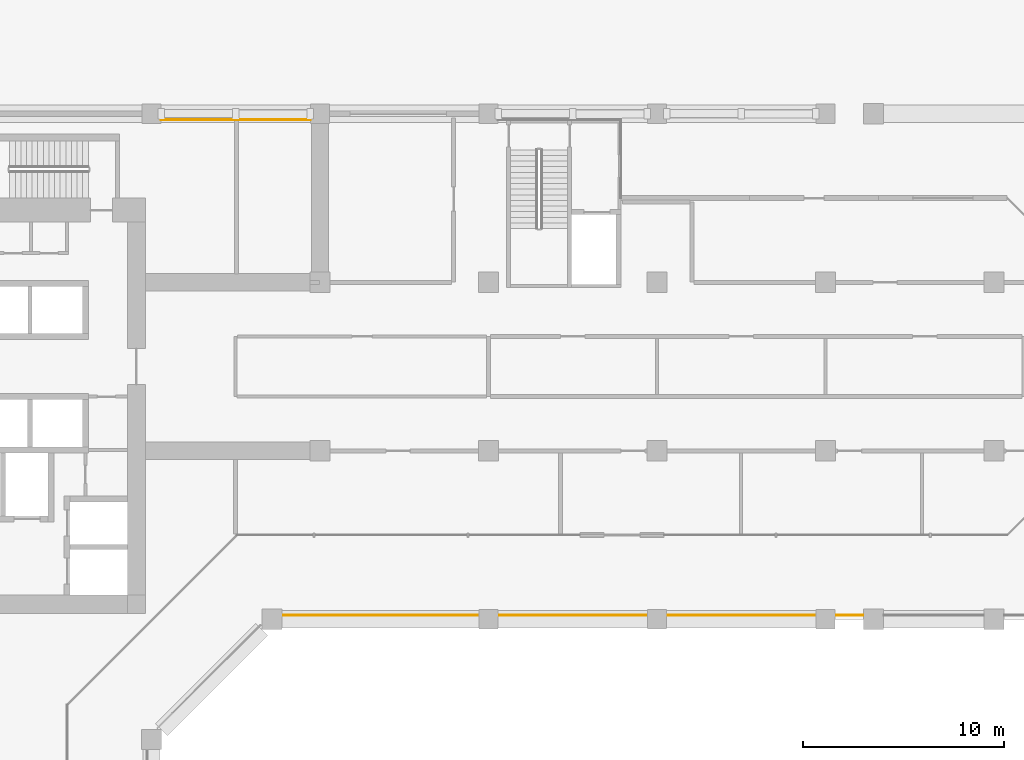
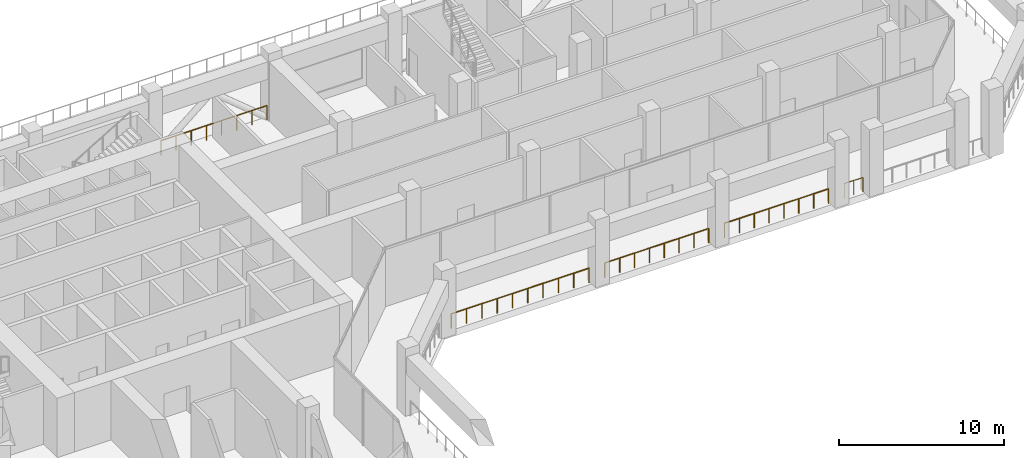
# One storey, part 15 of 19: 5 railings.
"""IFC4 building model written with IfcOpenShell, lengths in metres."""

from ifc_helpers import new_model, si_unit, direction, frame, origin, origin_2d, place, context, subcontext, project, spatial, circle, extrude, material, type_object, element, save


model = new_model("IFC4")

# Units and contexts
model_context = context("Model", 3, precision=1e-05, world=origin(), true_north=direction((0.0, 1.0)))
body_context = subcontext(model_context, "Body", "Model", "MODEL_VIEW")
ifc_project = project(units=[si_unit("LENGTHUNIT", "METRE"), si_unit("AREAUNIT", "SQUARE_METRE"), si_unit("VOLUMEUNIT", "CUBIC_METRE"), si_unit("PLANEANGLEUNIT", "RADIAN"), si_unit("MASSUNIT", "GRAM", prefix="KILO")], contexts=[model_context])

# Site, building, storey
site_placement = place(None, origin())
site = spatial("IfcSite", under=ifc_project, at=site_placement, CompositionType="ELEMENT")
building_placement = place(site_placement, origin())
building = spatial("IfcBuilding", under=site, at=building_placement, Name="Kawkab Arch Medical Tower", CompositionType="ELEMENT")
storey_placement = place(building_placement, frame((0.0, 0.0, 153.39990234375)))
storey = spatial("IfcBuildingStorey", under=building, at=storey_placement, Name="L35", CompositionType="ELEMENT", Elevation=153.39990234375)

# Railings
ifc_material = material(Name="Bronze anodised aluminium guard", Category="aluminium")
railing_type = type_object("IfcRailingType", Name="Loggia and terrace guard 1100", PredefinedType="GUARDRAIL", material=ifc_material)
railing_1_placement = place(storey_placement, frame((33.125, -0.300048828125, 0.0)))
element("IfcRailing", 1, at=railing_1_placement, inside=storey, type_object=railing_type, Name="Band guard L35.R18.3", PredefinedType="GUARDRAIL", context=body_context, shape_type="SweptSolid", body=[
    extrude(circle(Radius=0.02392578125, at=origin_2d()), frame((0.0, 0.0, 1.076171875), z_axis=(-1.0, 0.0, 0.0), x_axis=(0.0, -1.0, 0.0)), (0.0, 0.0, 1.0), 7.449951171875),
    extrude(circle(Radius=0.02099609375, at=origin_2d()), origin(), (0.0, 0.0, 1.0), 1.052001953125),
    extrude(circle(Radius=0.02099609375, at=origin_2d()), frame((-1.064208984375, 0.0, 0.0)), (0.0, 0.0, 1.0), 1.052001953125),
    extrude(circle(Radius=0.02099609375, at=origin_2d()), frame((-2.128662109375, 0.0, 0.0)), (0.0, 0.0, 1.0), 1.052001953125),
    extrude(circle(Radius=0.02099609375, at=origin_2d()), frame((-3.19287109375, 0.0, 0.0)), (0.0, 0.0, 1.0), 1.052001953125),
    extrude(circle(Radius=0.02099609375, at=origin_2d()), frame((-4.257080078125, 0.0, 0.0)), (0.0, 0.0, 1.0), 1.052001953125),
    extrude(circle(Radius=0.02099609375, at=origin_2d()), frame((-5.3212890625, 0.0, 0.0)), (0.0, 0.0, 1.0), 1.052001953125),
    extrude(circle(Radius=0.02099609375, at=origin_2d()), frame((-6.3857421875, 0.0, 0.0)), (0.0, 0.0, 1.0), 1.052001953125),
    extrude(circle(Radius=0.02099609375, at=origin_2d()), frame((-7.449951171875, 0.0, 0.0)), (0.0, 0.0, 1.0), 1.052001953125),
])
railing_2_placement = place(storey_placement, frame((60.669921875, -25.0, 0.0)))
element("IfcRailing", 2, at=railing_2_placement, inside=storey, type_object=railing_type, Name="Guard L35.REF-01.1.6", PredefinedType="GUARDRAIL", context=body_context, shape_type="SweptSolid", body=[
    extrude(circle(Radius=0.02392578125, at=origin_2d()), frame((0.0, 0.0, 1.076171875), z_axis=(-1.0, 0.0, 0.0), x_axis=(0.0, -1.0, 0.0)), (0.0, 0.0, 1.0), 1.31494140625),
    extrude(circle(Radius=0.02099609375, at=origin_2d()), origin(), (0.0, 0.0, 1.0), 1.052001953125),
    extrude(circle(Radius=0.02099609375, at=origin_2d()), frame((-0.657470703125, 0.0, 0.0)), (0.0, 0.0, 1.0), 1.052001953125),
    extrude(circle(Radius=0.02099609375, at=origin_2d()), frame((-1.31494140625, 0.0, 0.0)), (0.0, 0.0, 1.0), 1.052001953125),
])
for number, where, name in (
    (3, (58.2451171875, -25.0, 0.0), "Guard L35.REF-01.1.7"),
    (4, (49.844970703125, -25.0, 0.0), "Guard L35.REF-01.1.8"),
):
    element("IfcRailing", number, at=place(storey_placement, frame(where)), inside=storey, type_object=railing_type, Name=name, PredefinedType="GUARDRAIL", context=body_context, shape_type="SweptSolid", body=[
        extrude(circle(Radius=0.02392578125, at=origin_2d()), frame((0.0, 0.0, 1.076171875), z_axis=(-1.0, 0.0, 0.0), x_axis=(0.0, -1.0, 0.0)), (0.0, 0.0, 1.0), 7.2900390625),
        extrude(circle(Radius=0.02099609375, at=origin_2d()), origin(), (0.0, 0.0, 1.0), 1.052001953125),
        extrude(circle(Radius=0.02099609375, at=origin_2d()), frame((-1.04150390625, 0.0, 0.0)), (0.0, 0.0, 1.0), 1.052001953125),
        extrude(circle(Radius=0.02099609375, at=origin_2d()), frame((-2.082763671875, 0.0, 0.0)), (0.0, 0.0, 1.0), 1.052001953125),
        extrude(circle(Radius=0.02099609375, at=origin_2d()), frame((-3.124267578125, 0.0, 0.0)), (0.0, 0.0, 1.0), 1.052001953125),
        extrude(circle(Radius=0.02099609375, at=origin_2d()), frame((-4.165771484375, 0.0, 0.0)), (0.0, 0.0, 1.0), 1.052001953125),
        extrude(circle(Radius=0.02099609375, at=origin_2d()), frame((-5.207275390625, 0.0, 0.0)), (0.0, 0.0, 1.0), 1.052001953125),
        extrude(circle(Radius=0.02099609375, at=origin_2d()), frame((-6.24853515625, 0.0, 0.0)), (0.0, 0.0, 1.0), 1.052001953125),
        extrude(circle(Radius=0.02099609375, at=origin_2d()), frame((-7.2900390625, 0.0, 0.0)), (0.0, 0.0, 1.0), 1.052001953125),
    ])
railing_3_placement = place(storey_placement, frame((41.445068359375, -25.0, 0.0)))
element("IfcRailing", 5, at=railing_3_placement, inside=storey, type_object=railing_type, Name="Guard L35.REF-01.1.9", PredefinedType="GUARDRAIL", context=body_context, shape_type="SweptSolid", body=[
    extrude(circle(Radius=0.02392578125, at=origin_2d()), frame((0.0, 0.0, 1.076171875), z_axis=(-1.0, 0.0, 0.0), x_axis=(0.0, -1.0, 0.0)), (0.0, 0.0, 1.0), 9.6650390625),
    extrude(circle(Radius=0.02099609375, at=origin_2d()), origin(), (0.0, 0.0, 1.0), 1.052001953125),
    extrude(circle(Radius=0.02099609375, at=origin_2d()), frame((-1.073974609375, 0.0, 0.0)), (0.0, 0.0, 1.0), 1.052001953125),
    extrude(circle(Radius=0.02099609375, at=origin_2d()), frame((-2.147705078125, 0.0, 0.0)), (0.0, 0.0, 1.0), 1.052001953125),
    extrude(circle(Radius=0.02099609375, at=origin_2d()), frame((-3.2216796875, 0.0, 0.0)), (0.0, 0.0, 1.0), 1.052001953125),
    extrude(circle(Radius=0.02099609375, at=origin_2d()), frame((-4.295654296875, 0.0, 0.0)), (0.0, 0.0, 1.0), 1.052001953125),
    extrude(circle(Radius=0.02099609375, at=origin_2d()), frame((-5.369384765625, 0.0, 0.0)), (0.0, 0.0, 1.0), 1.052001953125),
    extrude(circle(Radius=0.02099609375, at=origin_2d()), frame((-6.443359375, 0.0, 0.0)), (0.0, 0.0, 1.0), 1.052001953125),
    extrude(circle(Radius=0.02099609375, at=origin_2d()), frame((-7.517333984375, 0.0, 0.0)), (0.0, 0.0, 1.0), 1.052001953125),
    extrude(circle(Radius=0.02099609375, at=origin_2d()), frame((-8.591064453125, 0.0, 0.0)), (0.0, 0.0, 1.0), 1.052001953125),
    extrude(circle(Radius=0.02099609375, at=origin_2d()), frame((-9.6650390625, 0.0, 0.0)), (0.0, 0.0, 1.0), 1.052001953125),
])

save(model, "model.ifc")
